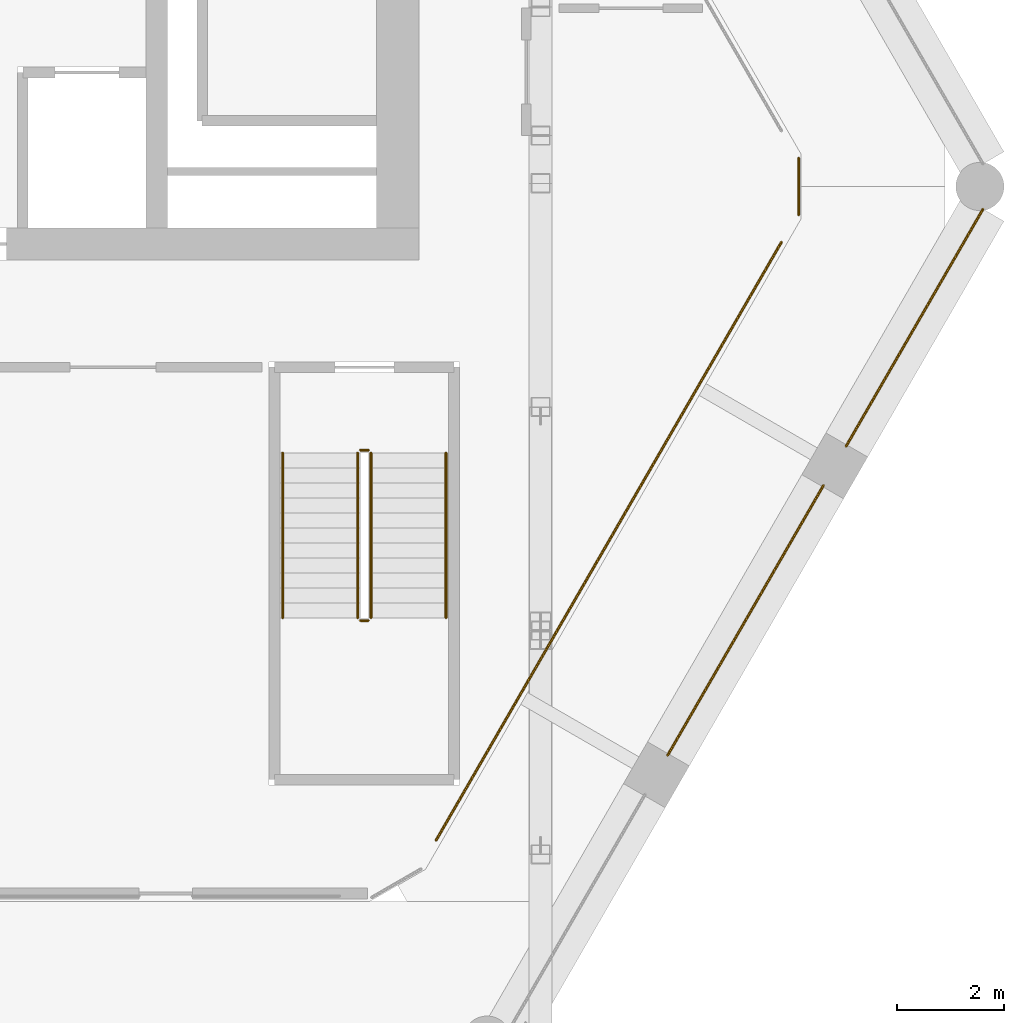
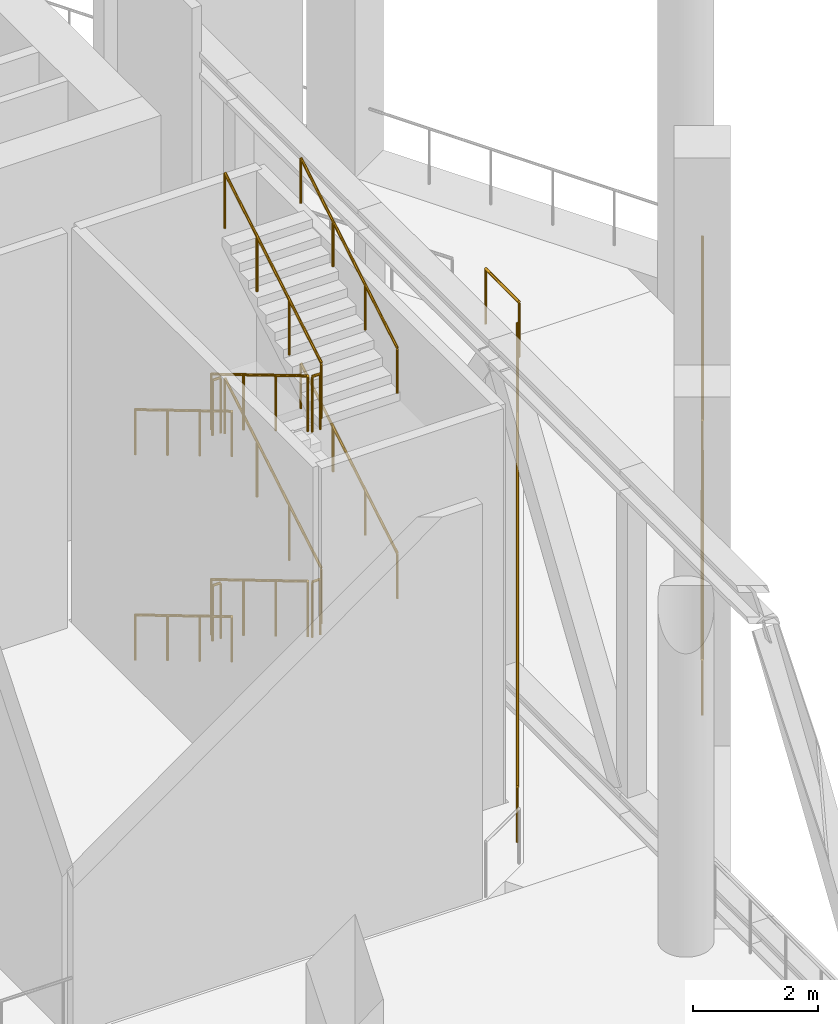
# One storey, part 12 of 14: 16 railings.
"""IFC4 building model written with IfcOpenShell, lengths in metres."""

from ifc_helpers import new_model, si_unit, direction, frame, origin, origin_2d, place, context, subcontext, project, spatial, circle, extrude, material, type_object, element, save


model = new_model("IFC4")

# Units and contexts
model_context = context("Model", 3, precision=1e-05, world=origin(), true_north=direction((0.0, 1.0)))
body_context = subcontext(model_context, "Body", "Model", "MODEL_VIEW")
ifc_project = project(units=[si_unit("LENGTHUNIT", "METRE"), si_unit("AREAUNIT", "SQUARE_METRE"), si_unit("VOLUMEUNIT", "CUBIC_METRE"), si_unit("PLANEANGLEUNIT", "RADIAN"), si_unit("MASSUNIT", "GRAM", prefix="KILO")], contexts=[model_context])

# Site, building, storey
site_placement = place(None, origin())
site = spatial("IfcSite", under=ifc_project, at=site_placement, CompositionType="ELEMENT")
building_placement = place(site_placement, origin())
building = spatial("IfcBuilding", under=site, at=building_placement, Name="Ostrander Bayou Hotel Tower", CompositionType="ELEMENT")
storey_placement = place(building_placement, frame((0.0, 0.0, 237.0)))
storey = spatial("IfcBuildingStorey", under=building, at=storey_placement, Name="L59", CompositionType="ELEMENT", Elevation=237.0)

# Railings
ifc_material_1 = material(Name="Stainless steel and clear glass", Category="steel")
railing_type_1 = type_object("IfcRailingType", Name="GR1 guard 1100 mm", PredefinedType="GUARDRAIL", material=ifc_material_1)
railing_1_placement = place(storey_placement, frame((13.1376953125, -10.944580078125, 0.0)))
element("IfcRailing", 1, at=railing_1_placement, inside=storey, type_object=railing_type_1, Name="GR1 L59 SE-2 open band guard", PredefinedType="GUARDRAIL", context=body_context, shape_type="SweptSolid", body=[
    extrude(circle(Radius=0.02490234375, at=origin_2d()), frame((0.0, 0.0, 1.0751953125), z_axis=(0.500015433515, 0.866016493057, 0.0), x_axis=(-0.866016493057, 0.500015433515, 0.0)), (0.0, 0.0, 1.0), 5.818603515625),
    extrude(circle(Radius=0.02001953125, at=origin_2d()), origin(), (0.0, 0.0, 1.0), 1.050048828125),
    extrude(circle(Radius=0.02001953125, at=origin_2d()), frame((0.581787109375, 1.0078125, 0.0)), (0.0, 0.0, 1.0), 1.050048828125),
    extrude(circle(Radius=0.02001953125, at=origin_2d()), frame((1.163818359375, 2.015625, 0.0)), (0.0, 0.0, 1.0), 1.050048828125),
    extrude(circle(Radius=0.02001953125, at=origin_2d()), frame((1.74560546875, 3.0234375, 0.0)), (0.0, 0.0, 1.0), 1.050048828125),
    extrude(circle(Radius=0.02001953125, at=origin_2d()), frame((2.32763671875, 4.03125, 0.0)), (0.0, 0.0, 1.0), 1.050048828125),
    extrude(circle(Radius=0.02001953125, at=origin_2d()), frame((2.909423828125, 5.0390625, 0.0)), (0.0, 0.0, 1.0), 1.050048828125),
])
railing_2_placement = place(storey_placement, frame((16.46728515625, -5.177978515625, 0.0)))
element("IfcRailing", 2, at=railing_2_placement, inside=storey, type_object=railing_type_1, Name="GR1 L59 SE-3 open band guard", PredefinedType="GUARDRAIL", context=body_context, shape_type="SweptSolid", body=[
    extrude(circle(Radius=0.02490234375, at=origin_2d()), frame((0.0, 0.0, 1.0751953125), z_axis=(0.499995206172, 0.866028171485, 0.0), x_axis=(-0.866028171485, 0.499995206172, 0.0)), (0.0, 0.0, 1.0), 5.11376953125),
    extrude(circle(Radius=0.02001953125, at=origin_2d()), origin(), (0.0, 0.0, 1.0), 1.050048828125),
    extrude(circle(Radius=0.02001953125, at=origin_2d()), frame((0.511474609375, 0.8857421875, 0.0)), (0.0, 0.0, 1.0), 1.050048828125),
    extrude(circle(Radius=0.02001953125, at=origin_2d()), frame((1.022705078125, 1.771484375, 0.0)), (0.0, 0.0, 1.0), 1.050048828125),
    extrude(circle(Radius=0.02001953125, at=origin_2d()), frame((1.5341796875, 2.6572265625, 0.0)), (0.0, 0.0, 1.0), 1.050048828125),
    extrude(circle(Radius=0.02001953125, at=origin_2d()), frame((2.04541015625, 3.54296875, 0.0)), (0.0, 0.0, 1.0), 1.050048828125),
    extrude(circle(Radius=0.02001953125, at=origin_2d()), frame((2.556884765625, 4.4287109375, 0.0)), (0.0, 0.0, 1.0), 1.050048828125),
])
railing_3_placement = place(storey_placement, frame((15.582763671875, -0.85986328125, 0.0)))
element("IfcRailing", 3, at=railing_3_placement, inside=storey, type_object=railing_type_1, Name="GR1 L59 corner guard 5", PredefinedType="GUARDRAIL", context=body_context, shape_type="SweptSolid", body=[
    extrude(circle(Radius=0.02490234375, at=origin_2d()), frame((0.0, 0.0, 1.0751953125), z_axis=(0.0, 1.0, 0.0), x_axis=(-1.0, 0.0, 0.0)), (0.0, 0.0, 1.0), 1.06494140625),
    extrude(circle(Radius=0.02001953125, at=origin_2d()), origin(), (0.0, 0.0, 1.0), 1.050048828125),
    extrude(circle(Radius=0.02001953125, at=origin_2d()), frame((0.0, 1.06494140625, 0.0)), (0.0, 0.0, 1.0), 1.050048828125),
])
railing_4_placement = place(storey_placement, frame((15.26171875, -1.365966796875, 0.0)))
element("IfcRailing", 4, at=railing_4_placement, inside=storey, type_object=railing_type_1, Name="GR1 L59 edge guard 3", PredefinedType="GUARDRAIL", context=body_context, shape_type="SweptSolid", body=[
    extrude(circle(Radius=0.02490234375, at=origin_2d()), frame((0.0, 0.0, 1.0751953125), z_axis=(-0.500009787079, -0.866019753138, 0.0), x_axis=(0.866019753138, -0.500009787079, 0.0)), (0.0, 0.0, 1.0), 12.895751953125),
    extrude(circle(Radius=0.02001953125, at=origin_2d()), origin(), (0.0, 0.0, 1.0), 1.050048828125),
    extrude(circle(Radius=0.02001953125, at=origin_2d()), frame((-0.586181640625, -1.015380859375, 0.0)), (0.0, 0.0, 1.0), 1.050048828125),
    extrude(circle(Radius=0.02001953125, at=origin_2d()), frame((-1.17236328125, -2.030517578125, 0.0)), (0.0, 0.0, 1.0), 1.050048828125),
    extrude(circle(Radius=0.02001953125, at=origin_2d()), frame((-1.758544921875, -3.0458984375, 0.0)), (0.0, 0.0, 1.0), 1.050048828125),
    extrude(circle(Radius=0.02001953125, at=origin_2d()), frame((-2.3447265625, -4.06103515625, 0.0)), (0.0, 0.0, 1.0), 1.050048828125),
    extrude(circle(Radius=0.02001953125, at=origin_2d()), frame((-2.930908203125, -5.076416015625, 0.0)), (0.0, 0.0, 1.0), 1.050048828125),
    extrude(circle(Radius=0.02001953125, at=origin_2d()), frame((-3.51708984375, -6.091552734375, 0.0)), (0.0, 0.0, 1.0), 1.050048828125),
    extrude(circle(Radius=0.02001953125, at=origin_2d()), frame((-4.103271484375, -7.10693359375, 0.0)), (0.0, 0.0, 1.0), 1.050048828125),
    extrude(circle(Radius=0.02001953125, at=origin_2d()), frame((-4.689453125, -8.1220703125, 0.0)), (0.0, 0.0, 1.0), 1.050048828125),
    extrude(circle(Radius=0.02001953125, at=origin_2d()), frame((-5.275634765625, -9.137451171875, 0.0)), (0.0, 0.0, 1.0), 1.050048828125),
    extrude(circle(Radius=0.02001953125, at=origin_2d()), frame((-5.86181640625, -10.152587890625, 0.0)), (0.0, 0.0, 1.0), 1.050048828125),
    extrude(circle(Radius=0.02001953125, at=origin_2d()), frame((-6.447998046875, -11.16796875, 0.0)), (0.0, 0.0, 1.0), 1.050048828125),
])
ifc_material_2 = material(Name="Steel ASTM A500 Gr C", Category="steel")
railing_type_2 = type_object("IfcRailingType", Name="GR1 stair guard 1100 mm steel", PredefinedType="GUARDRAIL", material=ifc_material_2)
railing_5_placement = place(storey_placement, frame((7.35009765625, -5.300048828125, 0.166748046875)))
element("IfcRailing", 5, at=railing_5_placement, inside=storey, type_object=railing_type_2, Name="L59 STC stair guard 1", PredefinedType="GUARDRAIL", context=body_context, shape_type="SweptSolid", body=[
    extrude(circle(Radius=0.02392578125, at=origin_2d()), frame((0.0, 0.0, 1.076171875), z_axis=(0.0, -0.859290745958, 0.51148745235), x_axis=(1.0, 0.0, 0.0)), (0.0, 0.0, 1.0), 3.584228515625),
    extrude(circle(Radius=0.02099609375, at=origin_2d()), origin(), (0.0, 0.0, 1.0), 1.052001953125),
    extrude(circle(Radius=0.02099609375, at=origin_2d()), frame((0.0, -1.026611328125, 0.611083984375)), (0.0, 0.0, 1.0), 1.052001953125),
    extrude(circle(Radius=0.02099609375, at=origin_2d()), frame((0.0, -2.05322265625, 1.22216796875)), (0.0, 0.0, 1.0), 1.052001953125),
    extrude(circle(Radius=0.02099609375, at=origin_2d()), frame((0.0, -3.079833984375, 1.833251953125)), (0.0, 0.0, 1.0), 1.052001953125),
])
railing_6_placement = place(storey_placement, frame((7.39990234375, -8.429931640625, 2.0)))
element("IfcRailing", 6, at=railing_6_placement, inside=storey, type_object=railing_type_2, Name="L59 STC stair guard 2", PredefinedType="GUARDRAIL", context=body_context, shape_type="SweptSolid", body=[
    extrude(circle(Radius=0.02392578125, at=origin_2d()), frame((0.0, 0.0, 1.076171875), z_axis=(1.0, 0.0, 0.0), x_axis=(0.0, 1.0, 0.0)), (0.0, 0.0, 1.0), 0.150146484375),
    extrude(circle(Radius=0.02099609375, at=origin_2d()), origin(), (0.0, 0.0, 1.0), 1.052001953125),
    extrude(circle(Radius=0.02099609375, at=origin_2d()), frame((0.150146484375, 0.0, 0.0)), (0.0, 0.0, 1.0), 1.052001953125),
])
railing_7_placement = place(storey_placement, frame((7.60009765625, -8.3798828125, 2.166748046875)))
element("IfcRailing", 7, at=railing_7_placement, inside=storey, type_object=railing_type_2, Name="L59 STC stair guard 3", PredefinedType="GUARDRAIL", context=body_context, shape_type="SweptSolid", body=[
    extrude(circle(Radius=0.02392578125, at=origin_2d()), frame((0.0, 0.0, 1.076171875), z_axis=(0.0, 0.859290745958, 0.51148745235), x_axis=(-1.0, 0.0, 0.0)), (0.0, 0.0, 1.0), 3.584228515625),
    extrude(circle(Radius=0.02099609375, at=origin_2d()), origin(), (0.0, 0.0, 1.0), 1.052001953125),
    extrude(circle(Radius=0.02099609375, at=origin_2d()), frame((0.0, 1.026611328125, 0.611083984375)), (0.0, 0.0, 1.0), 1.052001953125),
    extrude(circle(Radius=0.02099609375, at=origin_2d()), frame((0.0, 2.05322265625, 1.22216796875)), (0.0, 0.0, 1.0), 1.052001953125),
    extrude(circle(Radius=0.02099609375, at=origin_2d()), frame((0.0, 3.079833984375, 1.833251953125)), (0.0, 0.0, 1.0), 1.052001953125),
])
railing_8_placement = place(storey_placement, frame((7.39990234375, -5.25, 4.0)))
element("IfcRailing", 8, at=railing_8_placement, inside=storey, type_object=railing_type_2, Name="L59 STC stair guard 4", PredefinedType="GUARDRAIL", context=body_context, shape_type="SweptSolid", body=[
    extrude(circle(Radius=0.02392578125, at=origin_2d()), frame((0.0, 0.0, 1.076171875), z_axis=(1.0, 0.0, 0.0), x_axis=(0.0, 1.0, 0.0)), (0.0, 0.0, 1.0), 0.150146484375),
    extrude(circle(Radius=0.02099609375, at=origin_2d()), origin(), (0.0, 0.0, 1.0), 1.052001953125),
    extrude(circle(Radius=0.02099609375, at=origin_2d()), frame((0.150146484375, 0.0, 0.0)), (0.0, 0.0, 1.0), 1.052001953125),
])
railing_9_placement = place(storey_placement, frame((7.35009765625, -5.300048828125, 4.166748046875)))
element("IfcRailing", 9, at=railing_9_placement, inside=storey, type_object=railing_type_2, Name="L59 STC stair guard 5", PredefinedType="GUARDRAIL", context=body_context, shape_type="SweptSolid", body=[
    extrude(circle(Radius=0.02392578125, at=origin_2d()), frame((0.0, 0.0, 1.076171875), z_axis=(0.0, -0.859290745958, 0.51148745235), x_axis=(1.0, 0.0, 0.0)), (0.0, 0.0, 1.0), 3.584228515625),
    extrude(circle(Radius=0.02099609375, at=origin_2d()), origin(), (0.0, 0.0, 1.0), 1.052001953125),
    extrude(circle(Radius=0.02099609375, at=origin_2d()), frame((0.0, -1.026611328125, 0.611083984375)), (0.0, 0.0, 1.0), 1.052001953125),
    extrude(circle(Radius=0.02099609375, at=origin_2d()), frame((0.0, -2.05322265625, 1.22216796875)), (0.0, 0.0, 1.0), 1.052001953125),
    extrude(circle(Radius=0.02099609375, at=origin_2d()), frame((0.0, -3.079833984375, 1.833251953125)), (0.0, 0.0, 1.0), 1.052001953125),
])
railing_10_placement = place(storey_placement, frame((7.39990234375, -8.429931640625, 6.0)))
element("IfcRailing", 10, at=railing_10_placement, inside=storey, type_object=railing_type_2, Name="L59 STC stair guard 6", PredefinedType="GUARDRAIL", context=body_context, shape_type="SweptSolid", body=[
    extrude(circle(Radius=0.02392578125, at=origin_2d()), frame((0.0, 0.0, 1.076171875), z_axis=(1.0, 0.0, 0.0), x_axis=(0.0, 1.0, 0.0)), (0.0, 0.0, 1.0), 0.150146484375),
    extrude(circle(Radius=0.02099609375, at=origin_2d()), origin(), (0.0, 0.0, 1.0), 1.052001953125),
    extrude(circle(Radius=0.02099609375, at=origin_2d()), frame((0.150146484375, 0.0, 0.0)), (0.0, 0.0, 1.0), 1.052001953125),
])
railing_11_placement = place(storey_placement, frame((7.60009765625, -8.3798828125, 6.166748046875)))
element("IfcRailing", 11, at=railing_11_placement, inside=storey, type_object=railing_type_2, Name="L59 STC stair guard 7", PredefinedType="GUARDRAIL", context=body_context, shape_type="SweptSolid", body=[
    extrude(circle(Radius=0.02392578125, at=origin_2d()), frame((0.0, 0.0, 1.076171875), z_axis=(0.0, 0.859290745958, 0.51148745235), x_axis=(-1.0, 0.0, 0.0)), (0.0, 0.0, 1.0), 3.584228515625),
    extrude(circle(Radius=0.02099609375, at=origin_2d()), origin(), (0.0, 0.0, 1.0), 1.052001953125),
    extrude(circle(Radius=0.02099609375, at=origin_2d()), frame((0.0, 1.026611328125, 0.611083984375)), (0.0, 0.0, 1.0), 1.052001953125),
    extrude(circle(Radius=0.02099609375, at=origin_2d()), frame((0.0, 2.05322265625, 1.22216796875)), (0.0, 0.0, 1.0), 1.052001953125),
    extrude(circle(Radius=0.02099609375, at=origin_2d()), frame((0.0, 3.079833984375, 1.833251953125)), (0.0, 0.0, 1.0), 1.052001953125),
])
railing_12_placement = place(storey_placement, frame((7.39990234375, -5.25, 0.0)))
element("IfcRailing", 12, at=railing_12_placement, inside=storey, type_object=railing_type_2, Name="L59 STC stair guard 8", PredefinedType="GUARDRAIL", context=body_context, shape_type="SweptSolid", body=[
    extrude(circle(Radius=0.02392578125, at=origin_2d()), frame((0.0, 0.0, 1.076171875), z_axis=(1.0, 0.0, 0.0), x_axis=(0.0, 1.0, 0.0)), (0.0, 0.0, 1.0), 0.150146484375),
    extrude(circle(Radius=0.02099609375, at=origin_2d()), origin(), (0.0, 0.0, 1.0), 1.052001953125),
    extrude(circle(Radius=0.02099609375, at=origin_2d()), frame((0.150146484375, 0.0, 0.0)), (0.0, 0.0, 1.0), 1.052001953125),
])
ifc_material_3 = material(Name="Steel ASTM A500 Gr C", Category="steel")
railing_type_3 = type_object("IfcRailingType", Name="HR1 stair handrail 900 mm steel", PredefinedType="HANDRAIL", material=ifc_material_3)
railing_13_placement = place(storey_placement, frame((5.949951171875, -5.300048828125, 0.166748046875)))
element("IfcRailing", 13, at=railing_13_placement, inside=storey, type_object=railing_type_3, Name="L59 STC stair handrail 1", PredefinedType="HANDRAIL", context=body_context, shape_type="SweptSolid", body=[
    extrude(circle(Radius=0.02392578125, at=origin_2d()), frame((0.0, 0.0, 0.8759765625), z_axis=(0.0, -0.859290745958, 0.51148745235), x_axis=(1.0, 0.0, 0.0)), (0.0, 0.0, 1.0), 3.584228515625),
    extrude(circle(Radius=0.02099609375, at=origin_2d()), origin(), (0.0, 0.0, 1.0), 0.851806640625),
    extrude(circle(Radius=0.02099609375, at=origin_2d()), frame((0.0, -1.026611328125, 0.611083984375)), (0.0, 0.0, 1.0), 0.851806640625),
    extrude(circle(Radius=0.02099609375, at=origin_2d()), frame((0.0, -2.05322265625, 1.22216796875)), (0.0, 0.0, 1.0), 0.851806640625),
    extrude(circle(Radius=0.02099609375, at=origin_2d()), frame((0.0, -3.079833984375, 1.833251953125)), (0.0, 0.0, 1.0), 0.851806640625),
])
railing_14_placement = place(storey_placement, frame((9.0, -8.3798828125, 2.166748046875)))
element("IfcRailing", 14, at=railing_14_placement, inside=storey, type_object=railing_type_3, Name="L59 STC stair handrail 2", PredefinedType="HANDRAIL", context=body_context, shape_type="SweptSolid", body=[
    extrude(circle(Radius=0.02392578125, at=origin_2d()), frame((0.0, 0.0, 0.8759765625), z_axis=(0.0, 0.859290745958, 0.51148745235), x_axis=(-1.0, 0.0, 0.0)), (0.0, 0.0, 1.0), 3.584228515625),
    extrude(circle(Radius=0.02099609375, at=origin_2d()), origin(), (0.0, 0.0, 1.0), 0.851806640625),
    extrude(circle(Radius=0.02099609375, at=origin_2d()), frame((0.0, 1.026611328125, 0.611083984375)), (0.0, 0.0, 1.0), 0.851806640625),
    extrude(circle(Radius=0.02099609375, at=origin_2d()), frame((0.0, 2.05322265625, 1.22216796875)), (0.0, 0.0, 1.0), 0.851806640625),
    extrude(circle(Radius=0.02099609375, at=origin_2d()), frame((0.0, 3.079833984375, 1.833251953125)), (0.0, 0.0, 1.0), 0.851806640625),
])
railing_15_placement = place(storey_placement, frame((5.949951171875, -5.300048828125, 4.166748046875)))
element("IfcRailing", 15, at=railing_15_placement, inside=storey, type_object=railing_type_3, Name="L59 STC stair handrail 3", PredefinedType="HANDRAIL", context=body_context, shape_type="SweptSolid", body=[
    extrude(circle(Radius=0.02392578125, at=origin_2d()), frame((0.0, 0.0, 0.8759765625), z_axis=(0.0, -0.859290745958, 0.51148745235), x_axis=(1.0, 0.0, 0.0)), (0.0, 0.0, 1.0), 3.584228515625),
    extrude(circle(Radius=0.02099609375, at=origin_2d()), origin(), (0.0, 0.0, 1.0), 0.851806640625),
    extrude(circle(Radius=0.02099609375, at=origin_2d()), frame((0.0, -1.026611328125, 0.611083984375)), (0.0, 0.0, 1.0), 0.851806640625),
    extrude(circle(Radius=0.02099609375, at=origin_2d()), frame((0.0, -2.05322265625, 1.22216796875)), (0.0, 0.0, 1.0), 0.851806640625),
    extrude(circle(Radius=0.02099609375, at=origin_2d()), frame((0.0, -3.079833984375, 1.833251953125)), (0.0, 0.0, 1.0), 0.851806640625),
])
railing_16_placement = place(storey_placement, frame((9.0, -8.3798828125, 6.166748046875)))
element("IfcRailing", 16, at=railing_16_placement, inside=storey, type_object=railing_type_3, Name="L59 STC stair handrail 4", PredefinedType="HANDRAIL", context=body_context, shape_type="SweptSolid", body=[
    extrude(circle(Radius=0.02392578125, at=origin_2d()), frame((0.0, 0.0, 0.8759765625), z_axis=(0.0, 0.859290745958, 0.51148745235), x_axis=(-1.0, 0.0, 0.0)), (0.0, 0.0, 1.0), 3.584228515625),
    extrude(circle(Radius=0.02099609375, at=origin_2d()), origin(), (0.0, 0.0, 1.0), 0.851806640625),
    extrude(circle(Radius=0.02099609375, at=origin_2d()), frame((0.0, 1.026611328125, 0.611083984375)), (0.0, 0.0, 1.0), 0.851806640625),
    extrude(circle(Radius=0.02099609375, at=origin_2d()), frame((0.0, 2.05322265625, 1.22216796875)), (0.0, 0.0, 1.0), 0.851806640625),
    extrude(circle(Radius=0.02099609375, at=origin_2d()), frame((0.0, 3.079833984375, 1.833251953125)), (0.0, 0.0, 1.0), 0.851806640625),
])

save(model, "model.ifc")
